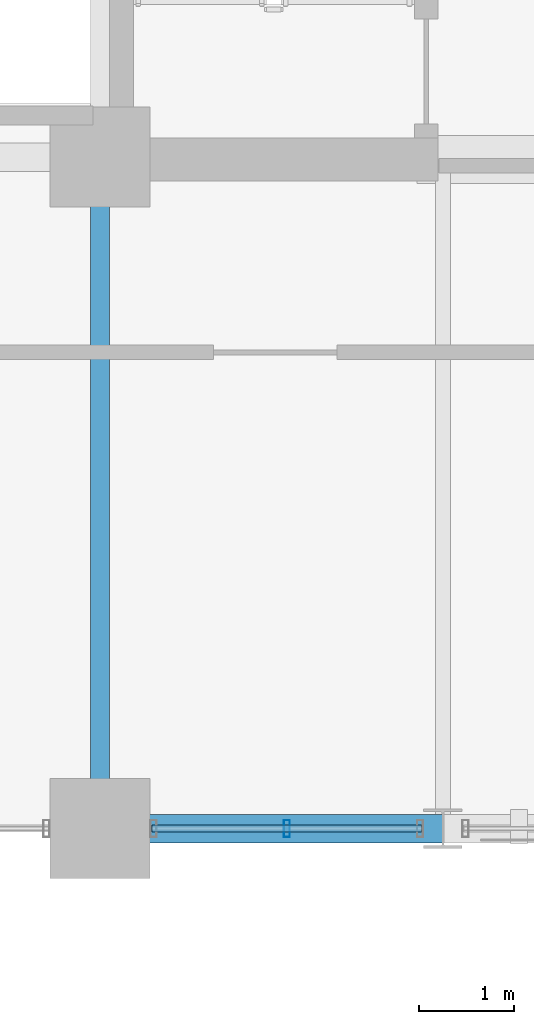
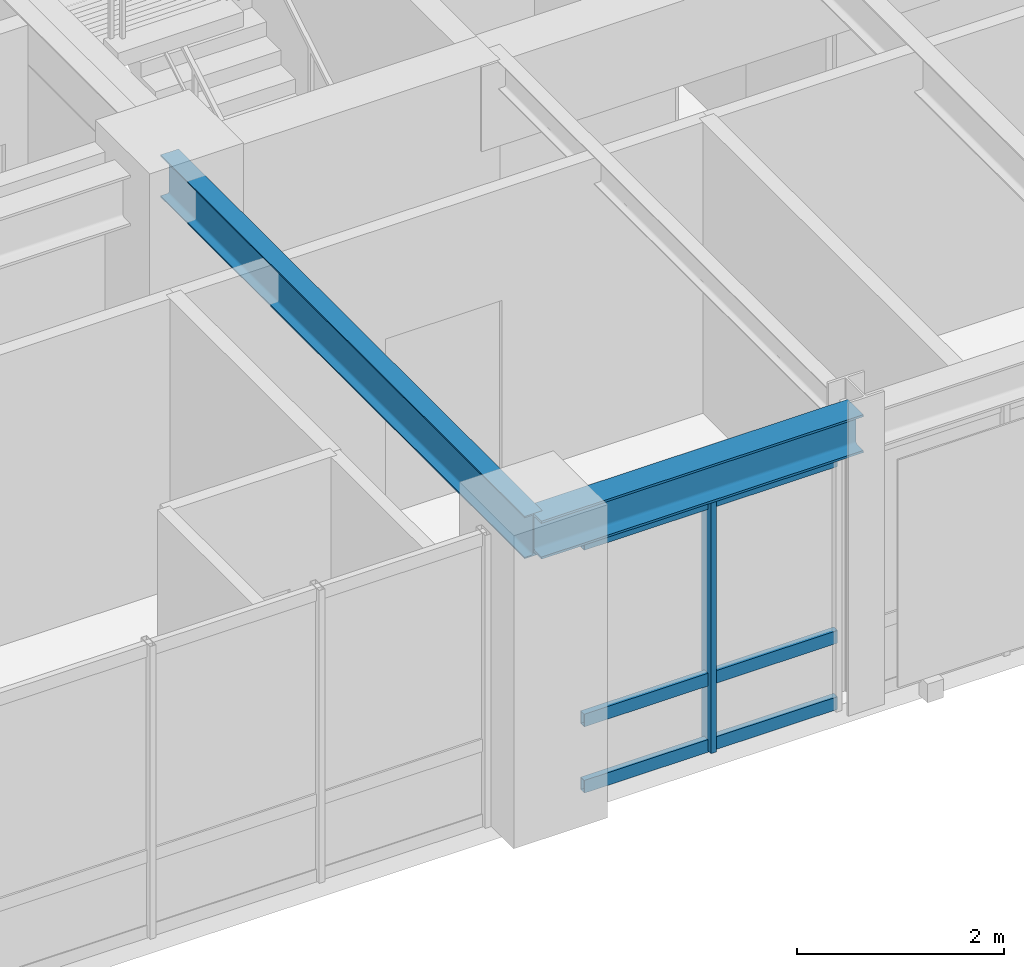
# One storey, part 4 of 17: 4 members, 2 beams, 1 element without a shape of its own.
"""IFC4 building model written with IfcOpenShell, lengths in metres."""

import ifcopenshell
import ifcopenshell.guid

model = None  # the IFC model being written
_history = None  # IfcOwnerHistory: only IFC2X3 demands one
_inside = {}  # id of a spatial element -> (the spatial element, [elements in it])
_under = {}  # id of a project, library or spatial element -> (it, [spatial elements below it])
_declared = {}  # id of a project -> (the project, [libraries it declares])
_typed = {}  # id of a type object -> (the type object, [elements of that type])
_made_of = {}  # id of a material, layer set ... -> (it, [elements and type objects made of it])


def new_model(schema):
    """Start an empty IFC model of exactly this schema.

    Asked for "IFC4X3", IfcOpenShell would pick the latest addendum, in which some entities
    have other attributes; the version numbers below select the first issue.
    IFC2X3 requires an IfcOwnerHistory on every rooted entity: one is made here for all.
    """
    global model, _history
    if schema == "IFC4X3":
        model = ifcopenshell.file(schema_version=(4, 3, 0, 0))
    else:
        model = ifcopenshell.file(schema=schema)
    _inside.clear()
    _under.clear()
    _declared.clear()
    _typed.clear()
    _made_of.clear()
    _history = None
    if model.schema == "IFC2X3":
        org = make("IfcOrganization", Name="unknown")
        user = make(
            "IfcPersonAndOrganization",
            ThePerson=make("IfcPerson", FamilyName="unknown"),
            TheOrganization=org,
        )
        app = make(
            "IfcApplication",
            ApplicationDeveloper=org,
            Version="unknown",
            ApplicationFullName="unknown",
            ApplicationIdentifier="unknown",
        )
        _history = make(
            "IfcOwnerHistory",
            OwningUser=user,
            OwningApplication=app,
            ChangeAction="ADDED",
            CreationDate=0,
        )
    return model


def make(cls, **values):
    """One entity of the class cls with the attributes given. An attribute that is None is left unset."""
    return model.create_entity(
        cls, **{name: value for name, value in values.items() if value is not None}
    )


def rooted(cls, **values):
    """An entity with a GlobalId (a new one), such as an element, a storey or a relation."""
    return make(cls, GlobalId=ifcopenshell.guid.new(), OwnerHistory=_history, **values)


def si_unit(unit_type, name, prefix=None):
    """IfcSIUnit, for example si_unit("LENGTHUNIT", "METRE", prefix="MILLI")."""
    return make("IfcSIUnit", UnitType=unit_type, Prefix=prefix, Name=name)


def assignment(units):
    """IfcUnitAssignment: the units of a project."""
    return None if units is None else make("IfcUnitAssignment", Units=units)


def point(xyz):
    """IfcCartesianPoint."""
    return None if xyz is None else make("IfcCartesianPoint", Coordinates=xyz)


def direction(xyz):
    """IfcDirection."""
    return None if xyz is None else make("IfcDirection", DirectionRatios=xyz)


def frame(location, z_axis=None, x_axis=None):
    """IfcAxis2Placement3D, a coordinate frame: its origin and axes. An axis left out is left unset."""
    return make(
        "IfcAxis2Placement3D",
        Location=point(location),
        Axis=direction(z_axis),
        RefDirection=direction(x_axis),
    )


def frame_2d(location, x_axis=None):
    """IfcAxis2Placement2D, a coordinate frame in the plane: its origin and x axis."""
    return make(
        "IfcAxis2Placement2D", Location=point(location), RefDirection=direction(x_axis)
    )


def origin():
    """The frame at (0, 0, 0) with its axes left unset."""
    return frame((0.0, 0.0, 0.0))


def origin_2d():
    """The frame at (0, 0) in the plane with its x axis left unset."""
    return frame_2d((0.0, 0.0))


def place(relative_to, where):
    """IfcLocalPlacement: puts the frame where relative to a parent placement (None: the world)."""
    return make(
        "IfcLocalPlacement", PlacementRelTo=relative_to, RelativePlacement=where
    )


def context(
    kind, dimensions, precision=None, world=None, true_north=None, identifier=None
):
    """IfcGeometricRepresentationContext, for example the 3D "Model" context."""
    return make(
        "IfcGeometricRepresentationContext",
        ContextIdentifier=identifier,
        ContextType=kind,
        CoordinateSpaceDimension=dimensions,
        Precision=precision,
        WorldCoordinateSystem=world,
        TrueNorth=true_north,
    )


def subcontext(parent, identifier, kind, view, scale=None):
    """IfcGeometricRepresentationSubContext, for example "Body" below "Model"."""
    return make(
        "IfcGeometricRepresentationSubContext",
        ContextIdentifier=identifier,
        ContextType=kind,
        ParentContext=parent,
        TargetScale=scale,
        TargetView=view,
    )


def project(units=None, contexts=None):
    """IfcProject with its units and contexts."""
    return rooted(
        "IfcProject",
        Name="project",
        RepresentationContexts=contexts,
        UnitsInContext=assignment(units),
    )


def spatial(cls, under=None, at=None, **own):
    """A site, building, storey or space (cls), placed at a placement, below another one or the project."""
    s = rooted(cls, ObjectPlacement=at, **own)
    if under is not None:
        _under.setdefault(under.id(), (under, []))[1].append(s)
    return s


def profile(cls, at=None, kind="AREA", **sizes):
    """A parametric profile (cls). Its sizes go by their IFC names, for example OverallWidth=200.0."""
    return make(cls, ProfileType=kind, Position=at, **sizes)


def hollow_rectangle(**sizes):
    """IfcRectangleHollowProfileDef."""
    return profile("IfcRectangleHollowProfileDef", **sizes)


def i_section(**sizes):
    """IfcIShapeProfileDef."""
    return profile("IfcIShapeProfileDef", **sizes)


def extrude(swept, where, along, depth):
    """IfcExtrudedAreaSolid: the profile swept, set in the frame where, extruded along a direction by depth."""
    return make(
        "IfcExtrudedAreaSolid",
        SweptArea=swept,
        Position=where,
        ExtrudedDirection=direction(along),
        Depth=depth,
    )


def shape(context_of_items, identifier, shape_type, items):
    """IfcShapeRepresentation: the items that make up one representation, for example the "Body"."""
    return make(
        "IfcShapeRepresentation",
        ContextOfItems=context_of_items,
        RepresentationIdentifier=identifier,
        RepresentationType=shape_type,
        Items=items,
    )


def source(mapping_origin, context_of_items, identifier, shape_type, items):
    """IfcRepresentationMap: a shape defined once, which mapped items show again and again."""
    return make(
        "IfcRepresentationMap",
        MappingOrigin=mapping_origin,
        MappedRepresentation=shape(context_of_items, identifier, shape_type, items),
    )


def transform(
    local_origin,
    x_axis=None,
    y_axis=None,
    z_axis=None,
    scale=None,
    scale2=None,
    scale3=None,
    uniform=True,
):
    """IfcCartesianTransformationOperator3D, or its non-uniform kind. x_axis, y_axis, z_axis: its Axis1, 2, 3."""
    if uniform:
        return make(
            "IfcCartesianTransformationOperator3D",
            Axis1=direction(x_axis),
            Axis2=direction(y_axis),
            LocalOrigin=point(local_origin),
            Scale=scale,
            Axis3=direction(z_axis),
        )
    return make(
        "IfcCartesianTransformationOperator3DnonUniform",
        Axis1=direction(x_axis),
        Axis2=direction(y_axis),
        LocalOrigin=point(local_origin),
        Scale=scale,
        Axis3=direction(z_axis),
        Scale2=scale2,
        Scale3=scale3,
    )


def mapped(mapping_source, mapping_target):
    """IfcMappedItem: shows the shape of a source again, moved by a transform."""
    return make(
        "IfcMappedItem", MappingSource=mapping_source, MappingTarget=mapping_target
    )


def material(Name=None, Category=None):
    """IfcMaterial."""
    return make("IfcMaterial", Name=Name, Category=Category)


def layer(
    of_material, thickness, ventilated=None, Name=None, Category=None, Priority=None
):
    """IfcMaterialLayer: one layer of a wall or slab, of a material (None: an air gap)."""
    return make(
        "IfcMaterialLayer",
        Material=of_material,
        LayerThickness=thickness,
        IsVentilated=ventilated,
        Name=Name,
        Category=Category,
        Priority=Priority,
    )


def layer_set(layers, Name=None):
    """IfcMaterialLayerSet."""
    return make("IfcMaterialLayerSet", MaterialLayers=layers, LayerSetName=Name)


def material_profile(
    of_material, cross_section, Name=None, Category=None, Priority=None
):
    """IfcMaterialProfile: a cross section and its material."""
    return make(
        "IfcMaterialProfile",
        Name=Name,
        Material=of_material,
        Profile=cross_section,
        Priority=Priority,
        Category=Category,
    )


def profile_set(profiles, Name=None, composite=None):
    """IfcMaterialProfileSet."""
    return make(
        "IfcMaterialProfileSet",
        Name=Name,
        MaterialProfiles=profiles,
        CompositeProfile=composite,
    )


def made_of(thing, what):
    """Note that an element or type object is made of a material, layer set ...; save() writes the relation."""
    if what is not None:
        _made_of.setdefault(what.id(), (what, []))[1].append(thing)
    return thing


def type_object(cls, material=None, **own):
    """A type object (cls), such as IfcWallType, which elements share."""
    return made_of(rooted(cls, **own), material)


def element(
    cls,
    number,
    at=None,
    inside=None,
    cuts=None,
    type_object=None,
    material=None,
    context=None,
    identifier="Body",
    shape_type=None,
    held_by="IfcProductDefinitionShape",
    body=None,
    shapes=None,
    **own,
):
    """One element of the class cls, such as IfcWall. Its Tag is "e" and its number.

    at: its placement. inside: the storey or other place that contains it. cuts: it is an
    opening in that element (IfcRelVoidsElement). A single representation is given by context,
    identifier, shape_type and body (its items); several are given by shapes. held_by: the class
    of the entity that holds the representations. save() writes the other relations.
    """
    e = rooted(cls, Tag="e%d" % number, ObjectPlacement=at, **own)
    if body is not None:
        shapes = [shape(context, identifier, shape_type, body)]
    if shapes is not None:
        e.Representation = make(held_by, Representations=shapes)
    if inside is not None:
        _inside.setdefault(inside.id(), (inside, []))[1].append(e)
    if cuts is not None:
        rooted(
            "IfcRelVoidsElement", RelatingBuildingElement=cuts, RelatedOpeningElement=e
        )
    if type_object is not None:
        _typed.setdefault(type_object.id(), (type_object, []))[1].append(e)
    return made_of(e, material)


def aggregate(whole, parts):
    """IfcRelAggregates: a whole, such as a stair, and the parts it consists of."""
    return rooted("IfcRelAggregates", RelatingObject=whole, RelatedObjects=parts)


def save(model, path):
    """Write the relations noted so far, then the file.

    IfcRelAggregates (storeys below a building ...), IfcRelContainedInSpatialStructure (elements
    in a storey), IfcRelDefinesByType, IfcRelAssociatesMaterial and IfcRelDeclares: one each for
    every whole, place, type object, material and project.
    """
    for whole, parts in _under.values():
        aggregate(whole, parts)
    for where, things in _inside.values():
        rooted(
            "IfcRelContainedInSpatialStructure",
            RelatedElements=things,
            RelatingStructure=where,
        )
    for kind, things in _typed.values():
        rooted("IfcRelDefinesByType", RelatedObjects=things, RelatingType=kind)
    for what, things in _made_of.values():
        rooted("IfcRelAssociatesMaterial", RelatedObjects=things, RelatingMaterial=what)
    for by, libraries in _declared.values():
        rooted("IfcRelDeclares", RelatingContext=by, RelatedDefinitions=libraries)
    model.write(path)


model = new_model("IFC4")

# Units and contexts
model_context = context("Model", 3, precision=1e-05, world=origin(), true_north=direction((0.0, 1.0)))
body_context = subcontext(model_context, "Body", "Model", "MODEL_VIEW")
ifc_project = project(units=[si_unit("LENGTHUNIT", "METRE"), si_unit("AREAUNIT", "SQUARE_METRE"), si_unit("VOLUMEUNIT", "CUBIC_METRE"), si_unit("PLANEANGLEUNIT", "RADIAN"), si_unit("MASSUNIT", "GRAM", prefix="KILO")], contexts=[model_context])

# Site, building, storey
site_placement = place(None, origin())
site = spatial("IfcSite", under=ifc_project, at=site_placement, CompositionType="ELEMENT")
building_placement = place(site_placement, origin())
building = spatial("IfcBuilding", under=site, at=building_placement, Name="Kaliganga Portal Commons", CompositionType="ELEMENT")
storey_placement = place(building_placement, frame((0.0, 0.0, 143.89990234375)))
storey = spatial("IfcBuildingStorey", under=building, at=storey_placement, Name="L36", CompositionType="ELEMENT", Elevation=143.89990234375)

# Beams
ifc_material_1 = material(Name="Structural steel S355J2", Category="steel")
ifc_material_profile_1 = material_profile(ifc_material_1, i_section(OverallWidth=0.199951171875, OverallDepth=0.5, WebThickness=0.01025390625, FlangeThickness=0.01611328125, FilletRadius=0.02099609375, at=origin_2d()), Name="IPE 500")
ifc_profile_set_1 = profile_set([ifc_material_profile_1], Name="Structural steel S355J2 wide-flange")
beam_type_1 = type_object("IfcBeamType", Name="BM-FLR-500", PredefinedType="BEAM", material=ifc_profile_set_1)
shared_shape_1 = source(origin(), body_context, "Body", "SweptSolid", [
    extrude(i_section(OverallWidth=0.199951171875, OverallDepth=0.5, WebThickness=0.01025390625, FlangeThickness=0.01611328125, FilletRadius=0.02099609375, at=origin_2d()), origin(), (0.0, 0.0, 1.0), 7.0498046875),
])
beam_1_placement = place(storey_placement, frame((14.39990234375, 21.60009765625, 3.210205078125), z_axis=(0.0, 1.0, 0.0), x_axis=(-1.0, 0.0, 0.0)))
element("IfcBeam", 1, at=beam_1_placement, inside=storey, type_object=beam_type_1, Name="BM G L36 AS144", PredefinedType="BEAM", context=body_context, shape_type="MappedRepresentation", body=[
    mapped(shared_shape_1, transform((0.0, 0.0, 0.0), x_axis=(1.0, 0.0, 0.0), y_axis=(0.0, 1.0, 0.0), z_axis=(0.0, 0.0, 1.0), scale=1.0)),
])
ifc_material_profile_2 = material_profile(ifc_material_1, i_section(OverallWidth=0.300048828125, OverallDepth=0.449951171875, WebThickness=0.013916015625, FlangeThickness=0.02587890625, FilletRadius=0.027099609375, at=origin_2d()), Name="HE 450 B")
ifc_profile_set_2 = profile_set([ifc_material_profile_2], Name="Structural steel S355J2 wide-flange")
beam_type_2 = type_object("IfcBeamType", Name="BM-SPAND-450", PredefinedType="SPANDREL", material=ifc_profile_set_2)
shared_shape_2 = source(origin(), body_context, "Body", "SweptSolid", [
    extrude(i_section(OverallWidth=0.300048828125, OverallDepth=0.449951171875, WebThickness=0.013916015625, FlangeThickness=0.02587890625, FilletRadius=0.027099609375, at=origin_2d()), origin(), (0.0, 0.0, 1.0), 3.60009765625),
])
beam_2_placement = place(storey_placement, frame((14.39990234375, 21.60009765625, 3.235107421875), z_axis=(1.0, 0.0, 0.0), x_axis=(0.0, 1.0, 0.0)))
element("IfcBeam", 2, at=beam_2_placement, inside=storey, type_object=beam_type_2, Name="BM SP L36 AS 1", PredefinedType="SPANDREL", context=body_context, shape_type="MappedRepresentation", body=[
    mapped(shared_shape_2, transform((0.0, 0.0, 0.0), x_axis=(1.0, 0.0, 0.0), y_axis=(0.0, 1.0, 0.0), z_axis=(0.0, 0.0, 1.0), scale=1.0)),
])

# Curtain wall, members
ifc_material_2 = material(Name="Anodized Aluminium and Laminated Low-E Glass", Category="aluminium")
ifc_layer = layer(ifc_material_2, 0.2099609375)
ifc_layer_set = layer_set([ifc_layer], Name="Anodized Aluminium and Laminated Low-E Glass")
curtain_wall_type = type_object("IfcCurtainWallType", Name="CW-SYS-03", PredefinedType="NOTDEFINED", material=ifc_layer_set)
curtain_wall_placement = place(storey_placement, origin())
curtain_wall = element("IfcCurtainWall", 3, at=curtain_wall_placement, inside=storey, type_object=curtain_wall_type, Name="CW 03 L36 P1E04S2", PredefinedType="NOTDEFINED")
ifc_material_3 = material(Name="Dark Bronze Anodized Aluminium", Category="aluminium")
ifc_material_profile_3 = material_profile(ifc_material_3, hollow_rectangle(XDim=0.06494140625, YDim=0.179931640625, WallThickness=0.00390625, at=origin_2d()), Name="ALU MULL 65x180x4")
ifc_profile_set_3 = profile_set([ifc_material_profile_3], Name="Dark Bronze Anodized Aluminium")
member_type_1 = type_object("IfcMemberType", Name="CW-MUL-180", PredefinedType="MULLION", material=ifc_profile_set_3)
shared_shape_3 = source(origin(), body_context, "Body", "SweptSolid", [
    extrude(hollow_rectangle(XDim=0.06494140625, YDim=0.179931640625, WallThickness=0.00390625, at=origin_2d()), origin(), (0.0, 0.0, 1.0), 3.010009765625),
])
member_1_placement = place(storey_placement, frame((16.361572265625, 21.60009765625, 0.0), z_axis=(0.0, 0.0, 1.0), x_axis=(1.0, 0.0, 0.0)))
member_1 = element("IfcMember", 4, at=member_1_placement, type_object=member_type_1, Name="CW:03:L36:P1E04S2 Mullion 01", PredefinedType="MULLION", context=body_context, shape_type="MappedRepresentation", body=[
    mapped(shared_shape_3, transform((0.0, 0.0, 0.0), x_axis=(1.0, 0.0, 0.0), y_axis=(0.0, 1.0, 0.0), z_axis=(0.0, 0.0, 1.0), scale=1.0)),
])
ifc_material_profile_4 = material_profile(ifc_material_3, hollow_rectangle(XDim=0.070068359375, YDim=0.14990234375, WallThickness=0.00341796875, at=origin_2d()), Name="ALU TRAN 70x150x3.5")
ifc_profile_set_4 = profile_set([ifc_material_profile_4], Name="Dark Bronze Anodized Aluminium")
member_type_2 = type_object("IfcMemberType", Name="CW-TRN-150", PredefinedType="USERDEFINED", material=ifc_profile_set_4)
shared_shape_4 = source(origin(), body_context, "Body", "SweptSolid", [
    extrude(hollow_rectangle(XDim=0.070068359375, YDim=0.14990234375, WallThickness=0.00341796875, at=origin_2d()), origin(), (0.0, 0.0, 1.0), 2.8310546875),
])
member_2_placement = place(storey_placement, frame((14.946044921875, 21.60009765625, 0.06005859375), z_axis=(1.0, 0.0, 0.0), x_axis=(0.0, 1.0, 0.0)))
member_2 = element("IfcMember", 5, at=member_2_placement, type_object=member_type_2, Name="CW:03:L36:P1E04S2 Transom 1", ObjectType="TRANSOM", PredefinedType="USERDEFINED", context=body_context, shape_type="MappedRepresentation", body=[
    mapped(shared_shape_4, transform((0.0, 0.0, 0.0), x_axis=(1.0, 0.0, 0.0), y_axis=(0.0, 1.0, 0.0), z_axis=(0.0, 0.0, 1.0), scale=1.0)),
])
member_3_placement = place(storey_placement, frame((14.946044921875, 21.60009765625, 0.843017578125), z_axis=(1.0, 0.0, 0.0), x_axis=(0.0, 1.0, 0.0)))
member_3 = element("IfcMember", 6, at=member_3_placement, type_object=member_type_2, Name="CW:03:L36:P1E04S2 Transom 2", ObjectType="TRANSOM", PredefinedType="USERDEFINED", context=body_context, shape_type="MappedRepresentation", body=[
    mapped(shared_shape_4, transform((0.0, 0.0, 0.0), x_axis=(1.0, 0.0, 0.0), y_axis=(0.0, 1.0, 0.0), z_axis=(0.0, 0.0, 1.0), scale=1.0)),
])
member_4_placement = place(storey_placement, frame((14.946044921875, 21.60009765625, 2.93017578125), z_axis=(1.0, 0.0, 0.0), x_axis=(0.0, 1.0, 0.0)))
member_4 = element("IfcMember", 7, at=member_4_placement, type_object=member_type_2, Name="CW:03:L36:P1E04S2 Transom 3", ObjectType="TRANSOM", PredefinedType="USERDEFINED", context=body_context, shape_type="MappedRepresentation", body=[
    mapped(shared_shape_4, transform((0.0, 0.0, 0.0), x_axis=(1.0, 0.0, 0.0), y_axis=(0.0, 1.0, 0.0), z_axis=(0.0, 0.0, 1.0), scale=1.0)),
])
aggregate(curtain_wall, [member_1, member_2, member_3, member_4])

save(model, "model.ifc")
